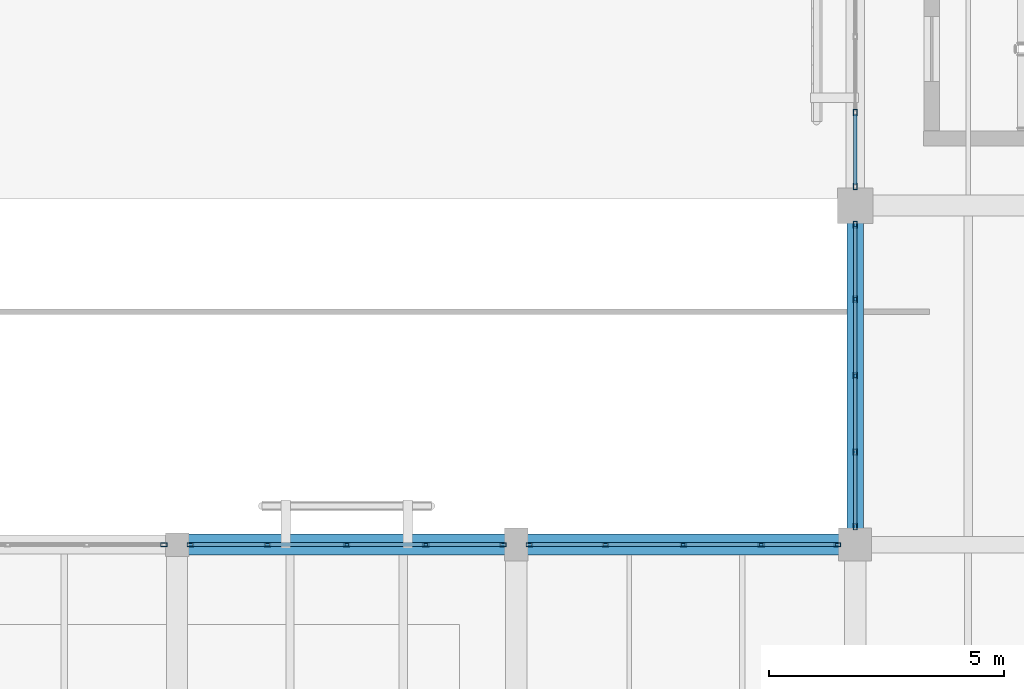
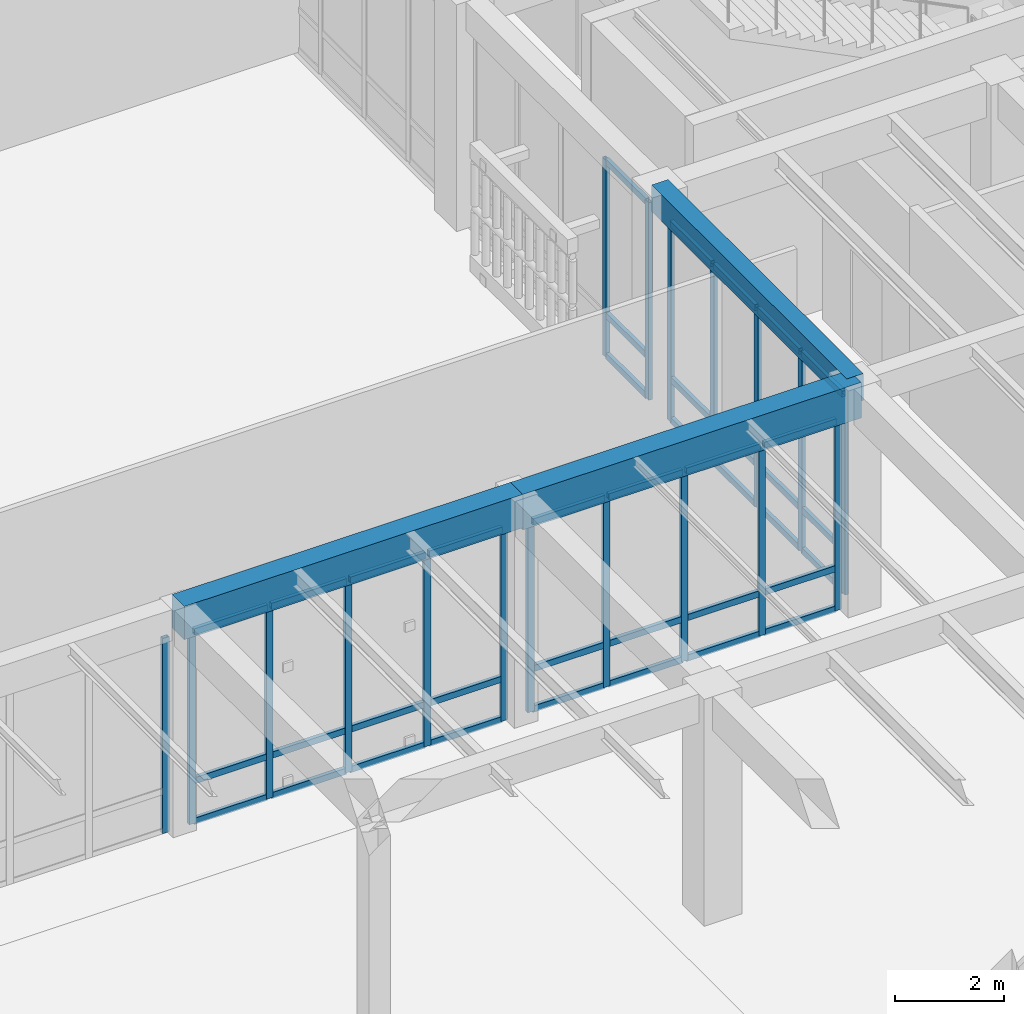
# One storey, part 96 of 169: 57 members, 3 beams, 5 elements without a shape of their own.
"""IFC4 building model written with IfcOpenShell, lengths in metres."""

from ifc_helpers import new_model, si_unit, direction, frame, origin, origin_2d, place, context, subcontext, project, spatial, rectangle, hollow_rectangle, extrude, material, layer, layer_set, material_profile, profile_set, type_object, element, aggregate, save


model = new_model("IFC4")

# Units and contexts
model_context = context("Model", 3, precision=1e-05, world=origin(), true_north=direction((0.0, 1.0)))
body_context = subcontext(model_context, "Body", "Model", "MODEL_VIEW")
ifc_project = project(units=[si_unit("LENGTHUNIT", "METRE"), si_unit("AREAUNIT", "SQUARE_METRE"), si_unit("VOLUMEUNIT", "CUBIC_METRE"), si_unit("PLANEANGLEUNIT", "RADIAN"), si_unit("MASSUNIT", "GRAM", prefix="KILO")], contexts=[model_context])

# Site, building, storey
site_placement = place(None, origin())
site = spatial("IfcSite", under=ifc_project, at=site_placement, CompositionType="ELEMENT")
building_placement = place(site_placement, origin())
building = spatial("IfcBuilding", under=site, at=building_placement, Name="Mazaris Harbour Polytechnic", CompositionType="ELEMENT")
storey_placement = place(building_placement, origin())
storey = spatial("IfcBuildingStorey", under=building, at=storey_placement, Name="L00", CompositionType="ELEMENT", Elevation=0.0)

# Curtain wall, member
ifc_material_1 = material(Name="Anodised Bronze Aluminium and Low-E Glass", Category="aluminium")
ifc_layer = layer(ifc_material_1, 0.169921875, Name="Anodised Bronze Aluminium and Low-E Glass")
ifc_layer_set = layer_set([ifc_layer], Name="Anodised Bronze Aluminium and Low-E Glass")
curtain_wall_type = type_object("IfcCurtainWallType", Name="Studio North-Light Curtain Wall", PredefinedType="NOTDEFINED", material=ifc_layer_set)
curtain_wall_1_placement = place(storey_placement, origin())
curtain_wall_1 = element("IfcCurtainWall", 1, at=curtain_wall_1_placement, inside=storey, type_object=curtain_wall_type, Name="V5 L00 Curtain Wall 191", PredefinedType="NOTDEFINED")
ifc_material_2 = material(Name="Anodised Bronze Steel S355", Category="steel")
ifc_material_profile_1 = material_profile(ifc_material_2, hollow_rectangle(XDim=0.080078125, YDim=0.139892578125, WallThickness=0.00634765625, at=origin_2d()), Name="RHS 80x140x6.3")
ifc_profile_set_1 = profile_set([ifc_material_profile_1], Name="Anodised Bronze Steel S355")
member_type_1 = type_object("IfcMemberType", Name="Curtain Mullion RHS80x140", PredefinedType="MULLION", material=ifc_profile_set_1)
member_1_placement = place(storey_placement, frame((143.718017578125, 61.199951171875, 0.0), z_axis=(0.0, 0.0, 1.0), x_axis=(0.0, 1.0, 0.0)))
member_1 = element("IfcMember", 2, at=member_1_placement, type_object=member_type_1, Name="CW-03 mullion 5", PredefinedType="MULLION", context=body_context, shape_type="SweptSolid", body=[
    extrude(hollow_rectangle(XDim=0.080078125, YDim=0.139892578125, WallThickness=0.00634765625, at=origin_2d()), origin(), (0.0, 0.0, 1.0), 4.389892578125),
])
aggregate(curtain_wall_1, [member_1])

# Curtain wall, members
curtain_wall_2_placement = place(storey_placement, origin())
curtain_wall_2 = element("IfcCurtainWall", 3, at=curtain_wall_2_placement, inside=storey, type_object=curtain_wall_type, Name="V5 L00 Curtain Wall 192", PredefinedType="NOTDEFINED")
member_2_placement = place(storey_placement, frame((144.281982421875, 61.199951171875, 0.0), z_axis=(0.0, 0.0, 1.0), x_axis=(0.0, 1.0, 0.0)))
member_2 = element("IfcMember", 4, at=member_2_placement, type_object=member_type_1, Name="CW-03 mullion 1", PredefinedType="MULLION", context=body_context, shape_type="SweptSolid", body=[
    extrude(hollow_rectangle(XDim=0.080078125, YDim=0.139892578125, WallThickness=0.00634765625, at=origin_2d()), origin(), (0.0, 0.0, 1.0), 4.340087890625),
])
member_3_placement = place(storey_placement, frame((145.9208984375, 61.199951171875, 0.0), z_axis=(0.0, 0.0, 1.0), x_axis=(0.0, 1.0, 0.0)))
member_3 = element("IfcMember", 5, at=member_3_placement, type_object=member_type_1, Name="CW-03 mullion 2", PredefinedType="MULLION", context=body_context, shape_type="SweptSolid", body=[
    extrude(hollow_rectangle(XDim=0.080078125, YDim=0.139892578125, WallThickness=0.00634765625, at=origin_2d()), origin(), (0.0, 0.0, 1.0), 4.340087890625),
])
member_4_placement = place(storey_placement, frame((147.60009765625, 61.199951171875, 0.0), z_axis=(0.0, 0.0, 1.0), x_axis=(0.0, 1.0, 0.0)))
member_4 = element("IfcMember", 6, at=member_4_placement, type_object=member_type_1, Name="CW-03 mullion 3", PredefinedType="MULLION", context=body_context, shape_type="SweptSolid", body=[
    extrude(hollow_rectangle(XDim=0.080078125, YDim=0.139892578125, WallThickness=0.00634765625, at=origin_2d()), origin(), (0.0, 0.0, 1.0), 4.340087890625),
])
member_5_placement = place(storey_placement, frame((149.279052734375, 61.199951171875, 0.0), z_axis=(0.0, 0.0, 1.0), x_axis=(0.0, 1.0, 0.0)))
member_5 = element("IfcMember", 7, at=member_5_placement, type_object=member_type_1, Name="CW-03 mullion 4", PredefinedType="MULLION", context=body_context, shape_type="SweptSolid", body=[
    extrude(hollow_rectangle(XDim=0.080078125, YDim=0.139892578125, WallThickness=0.00634765625, at=origin_2d()), origin(), (0.0, 0.0, 1.0), 4.340087890625),
])
member_6_placement = place(storey_placement, frame((150.91796875, 61.199951171875, 0.0), z_axis=(0.0, 0.0, 1.0), x_axis=(0.0, 1.0, 0.0)))
member_6 = element("IfcMember", 8, at=member_6_placement, type_object=member_type_1, Name="CW-03 mullion 5", PredefinedType="MULLION", context=body_context, shape_type="SweptSolid", body=[
    extrude(hollow_rectangle(XDim=0.080078125, YDim=0.139892578125, WallThickness=0.00634765625, at=origin_2d()), origin(), (0.0, 0.0, 1.0), 4.340087890625),
])

curtain_wall_3_placement = place(storey_placement, origin())
curtain_wall_3 = element("IfcCurtainWall", 9, at=curtain_wall_3_placement, inside=storey, type_object=curtain_wall_type, Name="V5 L00 Curtain Wall 193", PredefinedType="NOTDEFINED")
member_7_placement = place(storey_placement, frame((151.48193359375, 61.199951171875, 0.0), z_axis=(0.0, 0.0, 1.0), x_axis=(0.0, 1.0, 0.0)))
member_7 = element("IfcMember", 10, at=member_7_placement, type_object=member_type_1, Name="CW-03 mullion 1", PredefinedType="MULLION", context=body_context, shape_type="SweptSolid", body=[
    extrude(hollow_rectangle(XDim=0.080078125, YDim=0.139892578125, WallThickness=0.00634765625, at=origin_2d()), origin(), (0.0, 0.0, 1.0), 4.2900390625),
])
member_8_placement = place(storey_placement, frame((153.095947265625, 61.199951171875, 0.0), z_axis=(0.0, 0.0, 1.0), x_axis=(0.0, 1.0, 0.0)))
member_8 = element("IfcMember", 11, at=member_8_placement, type_object=member_type_1, Name="CW-03 mullion 2", PredefinedType="MULLION", context=body_context, shape_type="SweptSolid", body=[
    extrude(hollow_rectangle(XDim=0.080078125, YDim=0.139892578125, WallThickness=0.00634765625, at=origin_2d()), origin(), (0.0, 0.0, 1.0), 4.2900390625),
])
member_9_placement = place(storey_placement, frame((154.75, 61.199951171875, 0.0), z_axis=(0.0, 0.0, 1.0), x_axis=(0.0, 1.0, 0.0)))
member_9 = element("IfcMember", 12, at=member_9_placement, type_object=member_type_1, Name="CW-03 mullion 3", PredefinedType="MULLION", context=body_context, shape_type="SweptSolid", body=[
    extrude(hollow_rectangle(XDim=0.080078125, YDim=0.139892578125, WallThickness=0.00634765625, at=origin_2d()), origin(), (0.0, 0.0, 1.0), 4.2900390625),
])
member_10_placement = place(storey_placement, frame((156.404052734375, 61.199951171875, 0.0), z_axis=(0.0, 0.0, 1.0), x_axis=(0.0, 1.0, 0.0)))
member_10 = element("IfcMember", 13, at=member_10_placement, type_object=member_type_1, Name="CW-03 mullion 4", PredefinedType="MULLION", context=body_context, shape_type="SweptSolid", body=[
    extrude(hollow_rectangle(XDim=0.080078125, YDim=0.139892578125, WallThickness=0.00634765625, at=origin_2d()), origin(), (0.0, 0.0, 1.0), 4.2900390625),
])
member_11_placement = place(storey_placement, frame((158.01806640625, 61.199951171875, 0.0), z_axis=(0.0, 0.0, 1.0), x_axis=(0.0, 1.0, 0.0)))
member_11 = element("IfcMember", 14, at=member_11_placement, type_object=member_type_1, Name="CW-03 mullion 5", PredefinedType="MULLION", context=body_context, shape_type="SweptSolid", body=[
    extrude(hollow_rectangle(XDim=0.080078125, YDim=0.139892578125, WallThickness=0.00634765625, at=origin_2d()), origin(), (0.0, 0.0, 1.0), 4.2900390625),
])

curtain_wall_4_placement = place(storey_placement, origin())
curtain_wall_4 = element("IfcCurtainWall", 15, at=curtain_wall_4_placement, inside=storey, type_object=curtain_wall_type, Name="V5 L00 Curtain Wall 201", PredefinedType="NOTDEFINED")
member_12_placement = place(storey_placement, frame((158.39990234375, 67.992919921875, 0.0), z_axis=(0.0, 0.0, 1.0), x_axis=(1.0, 0.0, 0.0)))
member_12 = element("IfcMember", 16, at=member_12_placement, type_object=member_type_1, Name="CW-03 mullion 1", PredefinedType="MULLION", context=body_context, shape_type="SweptSolid", body=[
    extrude(hollow_rectangle(XDim=0.080078125, YDim=0.139892578125, WallThickness=0.00634765625, at=origin_2d()), origin(), (0.0, 0.0, 1.0), 4.489990234375),
])
member_13_placement = place(storey_placement, frame((158.39990234375, 66.41015625, 0.0), z_axis=(0.0, 0.0, 1.0), x_axis=(1.0, 0.0, 0.0)))
member_13 = element("IfcMember", 17, at=member_13_placement, type_object=member_type_1, Name="CW-03 mullion 2", PredefinedType="MULLION", context=body_context, shape_type="SweptSolid", body=[
    extrude(hollow_rectangle(XDim=0.080078125, YDim=0.139892578125, WallThickness=0.00634765625, at=origin_2d()), origin(), (0.0, 0.0, 1.0), 4.489990234375),
])
member_14_placement = place(storey_placement, frame((158.39990234375, 64.78759765625, 0.0), z_axis=(0.0, 0.0, 1.0), x_axis=(1.0, 0.0, 0.0)))
member_14 = element("IfcMember", 18, at=member_14_placement, type_object=member_type_1, Name="CW-03 mullion 3", PredefinedType="MULLION", context=body_context, shape_type="SweptSolid", body=[
    extrude(hollow_rectangle(XDim=0.080078125, YDim=0.139892578125, WallThickness=0.00634765625, at=origin_2d()), origin(), (0.0, 0.0, 1.0), 4.489990234375),
])
member_15_placement = place(storey_placement, frame((158.39990234375, 63.164794921875, 0.0), z_axis=(0.0, 0.0, 1.0), x_axis=(1.0, 0.0, 0.0)))
member_15 = element("IfcMember", 19, at=member_15_placement, type_object=member_type_1, Name="CW-03 mullion 4", PredefinedType="MULLION", context=body_context, shape_type="SweptSolid", body=[
    extrude(hollow_rectangle(XDim=0.080078125, YDim=0.139892578125, WallThickness=0.00634765625, at=origin_2d()), origin(), (0.0, 0.0, 1.0), 4.489990234375),
])
member_16_placement = place(storey_placement, frame((158.39990234375, 61.58203125, 0.0), z_axis=(0.0, 0.0, 1.0), x_axis=(1.0, 0.0, 0.0)))
member_16 = element("IfcMember", 20, at=member_16_placement, type_object=member_type_1, Name="CW-03 mullion 5", PredefinedType="MULLION", context=body_context, shape_type="SweptSolid", body=[
    extrude(hollow_rectangle(XDim=0.080078125, YDim=0.139892578125, WallThickness=0.00634765625, at=origin_2d()), origin(), (0.0, 0.0, 1.0), 4.489990234375),
])

curtain_wall_5_placement = place(storey_placement, origin())
curtain_wall_5 = element("IfcCurtainWall", 21, at=curtain_wall_5_placement, inside=storey, type_object=curtain_wall_type, Name="V5 L00 Curtain Wall 202", PredefinedType="NOTDEFINED")
member_17_placement = place(storey_placement, frame((158.39990234375, 70.377197265625, 0.0), z_axis=(0.0, 0.0, 1.0), x_axis=(1.0, 0.0, 0.0)))
member_17 = element("IfcMember", 22, at=member_17_placement, type_object=member_type_1, Name="CW-03 mullion 4", PredefinedType="MULLION", context=body_context, shape_type="SweptSolid", body=[
    extrude(hollow_rectangle(XDim=0.080078125, YDim=0.139892578125, WallThickness=0.00634765625, at=origin_2d()), origin(), (0.0, 0.0, 1.0), 4.43994140625),
])
member_18_placement = place(storey_placement, frame((158.39990234375, 68.806884765625, 0.0), z_axis=(0.0, 0.0, 1.0), x_axis=(1.0, 0.0, 0.0)))
member_18 = element("IfcMember", 23, at=member_18_placement, type_object=member_type_1, Name="CW-03 mullion 5", PredefinedType="MULLION", context=body_context, shape_type="SweptSolid", body=[
    extrude(hollow_rectangle(XDim=0.080078125, YDim=0.139892578125, WallThickness=0.00634765625, at=origin_2d()), origin(), (0.0, 0.0, 1.0), 4.43994140625),
])

# Member
ifc_material_3 = material(Name="Anodised Bronze Steel S355", Category="steel")
ifc_material_profile_2 = material_profile(ifc_material_3, hollow_rectangle(XDim=0.080078125, YDim=0.139892578125, WallThickness=0.00634765625, at=origin_2d()), Name="RHS 80x140x6.3")
ifc_profile_set_2 = profile_set([ifc_material_profile_2], Name="Anodised Bronze Steel S355")
member_type_2 = type_object("IfcMemberType", Name="Curtain Transom RHS80x140", PredefinedType="USERDEFINED", material=ifc_profile_set_2)
member_19_placement = place(storey_placement, frame((144.322021484375, 61.199951171875, 0.0400390625), z_axis=(1.0, 0.0, 0.0), x_axis=(0.0, 1.0, 0.0)))
member_19 = element("IfcMember", 24, at=member_19_placement, type_object=member_type_2, Name="CW-03 transom 1.1", ObjectType="TRANSOM", PredefinedType="USERDEFINED", context=body_context, shape_type="SweptSolid", body=[
    extrude(hollow_rectangle(XDim=0.080078125, YDim=0.139892578125, WallThickness=0.00634765625, at=origin_2d()), origin(), (0.0, 0.0, 1.0), 1.55908203125),
])

member_20_placement = place(storey_placement, frame((144.322021484375, 61.199951171875, 0.949951171875), z_axis=(1.0, 0.0, 0.0), x_axis=(0.0, 1.0, 0.0)))
member_20 = element("IfcMember", 25, at=member_20_placement, type_object=member_type_2, Name="CW-03 transom 1.2", ObjectType="TRANSOM", PredefinedType="USERDEFINED", context=body_context, shape_type="SweptSolid", body=[
    extrude(hollow_rectangle(XDim=0.080078125, YDim=0.139892578125, WallThickness=0.00634765625, at=origin_2d()), origin(), (0.0, 0.0, 1.0), 1.55908203125),
])

member_21_placement = place(storey_placement, frame((144.322021484375, 61.199951171875, 4.300048828125), z_axis=(1.0, 0.0, 0.0), x_axis=(0.0, 1.0, 0.0)))
member_21 = element("IfcMember", 26, at=member_21_placement, type_object=member_type_2, Name="CW-03 transom 1.3", ObjectType="TRANSOM", PredefinedType="USERDEFINED", context=body_context, shape_type="SweptSolid", body=[
    extrude(hollow_rectangle(XDim=0.080078125, YDim=0.139892578125, WallThickness=0.00634765625, at=origin_2d()), origin(), (0.0, 0.0, 1.0), 1.55908203125),
])

member_22_placement = place(storey_placement, frame((145.9609375, 61.199951171875, 0.0400390625), z_axis=(1.0, 0.0, 0.0), x_axis=(0.0, 1.0, 0.0)))
member_22 = element("IfcMember", 27, at=member_22_placement, type_object=member_type_2, Name="CW-03 transom 2.1", ObjectType="TRANSOM", PredefinedType="USERDEFINED", context=body_context, shape_type="SweptSolid", body=[
    extrude(hollow_rectangle(XDim=0.080078125, YDim=0.139892578125, WallThickness=0.00634765625, at=origin_2d()), origin(), (0.0, 0.0, 1.0), 1.59912109375),
])

member_23_placement = place(storey_placement, frame((145.9609375, 61.199951171875, 0.949951171875), z_axis=(1.0, 0.0, 0.0), x_axis=(0.0, 1.0, 0.0)))
member_23 = element("IfcMember", 28, at=member_23_placement, type_object=member_type_2, Name="CW-03 transom 2.2", ObjectType="TRANSOM", PredefinedType="USERDEFINED", context=body_context, shape_type="SweptSolid", body=[
    extrude(hollow_rectangle(XDim=0.080078125, YDim=0.139892578125, WallThickness=0.00634765625, at=origin_2d()), origin(), (0.0, 0.0, 1.0), 1.59912109375),
])

member_24_placement = place(storey_placement, frame((145.9609375, 61.199951171875, 4.300048828125), z_axis=(1.0, 0.0, 0.0), x_axis=(0.0, 1.0, 0.0)))
member_24 = element("IfcMember", 29, at=member_24_placement, type_object=member_type_2, Name="CW-03 transom 2.3", ObjectType="TRANSOM", PredefinedType="USERDEFINED", context=body_context, shape_type="SweptSolid", body=[
    extrude(hollow_rectangle(XDim=0.080078125, YDim=0.139892578125, WallThickness=0.00634765625, at=origin_2d()), origin(), (0.0, 0.0, 1.0), 1.59912109375),
])

member_25_placement = place(storey_placement, frame((147.639892578125, 61.199951171875, 0.0400390625), z_axis=(1.0, 0.0, 0.0), x_axis=(0.0, 1.0, 0.0)))
member_25 = element("IfcMember", 30, at=member_25_placement, type_object=member_type_2, Name="CW-03 transom 3.1", ObjectType="TRANSOM", PredefinedType="USERDEFINED", context=body_context, shape_type="SweptSolid", body=[
    extrude(hollow_rectangle(XDim=0.080078125, YDim=0.139892578125, WallThickness=0.00634765625, at=origin_2d()), origin(), (0.0, 0.0, 1.0), 1.59912109375),
])

member_26_placement = place(storey_placement, frame((147.639892578125, 61.199951171875, 0.949951171875), z_axis=(1.0, 0.0, 0.0), x_axis=(0.0, 1.0, 0.0)))
member_26 = element("IfcMember", 31, at=member_26_placement, type_object=member_type_2, Name="CW-03 transom 3.2", ObjectType="TRANSOM", PredefinedType="USERDEFINED", context=body_context, shape_type="SweptSolid", body=[
    extrude(hollow_rectangle(XDim=0.080078125, YDim=0.139892578125, WallThickness=0.00634765625, at=origin_2d()), origin(), (0.0, 0.0, 1.0), 1.59912109375),
])

member_27_placement = place(storey_placement, frame((147.639892578125, 61.199951171875, 4.300048828125), z_axis=(1.0, 0.0, 0.0), x_axis=(0.0, 1.0, 0.0)))
member_27 = element("IfcMember", 32, at=member_27_placement, type_object=member_type_2, Name="CW-03 transom 3.3", ObjectType="TRANSOM", PredefinedType="USERDEFINED", context=body_context, shape_type="SweptSolid", body=[
    extrude(hollow_rectangle(XDim=0.080078125, YDim=0.139892578125, WallThickness=0.00634765625, at=origin_2d()), origin(), (0.0, 0.0, 1.0), 1.59912109375),
])

member_28_placement = place(storey_placement, frame((149.319091796875, 61.199951171875, 0.0400390625), z_axis=(1.0, 0.0, 0.0), x_axis=(0.0, 1.0, 0.0)))
member_28 = element("IfcMember", 33, at=member_28_placement, type_object=member_type_2, Name="CW-03 transom 4.1", ObjectType="TRANSOM", PredefinedType="USERDEFINED", context=body_context, shape_type="SweptSolid", body=[
    extrude(hollow_rectangle(XDim=0.080078125, YDim=0.139892578125, WallThickness=0.00634765625, at=origin_2d()), origin(), (0.0, 0.0, 1.0), 1.558837890625),
])

member_29_placement = place(storey_placement, frame((149.319091796875, 61.199951171875, 0.949951171875), z_axis=(1.0, 0.0, 0.0), x_axis=(0.0, 1.0, 0.0)))
member_29 = element("IfcMember", 34, at=member_29_placement, type_object=member_type_2, Name="CW-03 transom 4.2", ObjectType="TRANSOM", PredefinedType="USERDEFINED", context=body_context, shape_type="SweptSolid", body=[
    extrude(hollow_rectangle(XDim=0.080078125, YDim=0.139892578125, WallThickness=0.00634765625, at=origin_2d()), origin(), (0.0, 0.0, 1.0), 1.558837890625),
])

member_30_placement = place(storey_placement, frame((149.319091796875, 61.199951171875, 4.300048828125), z_axis=(1.0, 0.0, 0.0), x_axis=(0.0, 1.0, 0.0)))
member_30 = element("IfcMember", 35, at=member_30_placement, type_object=member_type_2, Name="CW-03 transom 4.3", ObjectType="TRANSOM", PredefinedType="USERDEFINED", context=body_context, shape_type="SweptSolid", body=[
    extrude(hollow_rectangle(XDim=0.080078125, YDim=0.139892578125, WallThickness=0.00634765625, at=origin_2d()), origin(), (0.0, 0.0, 1.0), 1.558837890625),
])

aggregate(curtain_wall_2, [member_2, member_3, member_4, member_5, member_6, member_19, member_20, member_21, member_22, member_23, member_24, member_25, member_26, member_27, member_28, member_29, member_30])

member_31_placement = place(storey_placement, frame((151.52197265625, 61.199951171875, 0.0400390625), z_axis=(1.0, 0.0, 0.0), x_axis=(0.0, 1.0, 0.0)))
member_31 = element("IfcMember", 36, at=member_31_placement, type_object=member_type_2, Name="CW-03 transom 1.1", ObjectType="TRANSOM", PredefinedType="USERDEFINED", context=body_context, shape_type="SweptSolid", body=[
    extrude(hollow_rectangle(XDim=0.080078125, YDim=0.139892578125, WallThickness=0.00634765625, at=origin_2d()), origin(), (0.0, 0.0, 1.0), 1.533935546875),
])

member_32_placement = place(storey_placement, frame((151.52197265625, 61.199951171875, 0.949951171875), z_axis=(1.0, 0.0, 0.0), x_axis=(0.0, 1.0, 0.0)))
member_32 = element("IfcMember", 37, at=member_32_placement, type_object=member_type_2, Name="CW-03 transom 1.2", ObjectType="TRANSOM", PredefinedType="USERDEFINED", context=body_context, shape_type="SweptSolid", body=[
    extrude(hollow_rectangle(XDim=0.080078125, YDim=0.139892578125, WallThickness=0.00634765625, at=origin_2d()), origin(), (0.0, 0.0, 1.0), 1.533935546875),
])

member_33_placement = place(storey_placement, frame((151.52197265625, 61.199951171875, 4.25), z_axis=(1.0, 0.0, 0.0), x_axis=(0.0, 1.0, 0.0)))
member_33 = element("IfcMember", 38, at=member_33_placement, type_object=member_type_2, Name="CW-03 transom 1.3", ObjectType="TRANSOM", PredefinedType="USERDEFINED", context=body_context, shape_type="SweptSolid", body=[
    extrude(hollow_rectangle(XDim=0.080078125, YDim=0.139892578125, WallThickness=0.00634765625, at=origin_2d()), origin(), (0.0, 0.0, 1.0), 1.533935546875),
])

member_34_placement = place(storey_placement, frame((153.135986328125, 61.199951171875, 0.0400390625), z_axis=(1.0, 0.0, 0.0), x_axis=(0.0, 1.0, 0.0)))
member_34 = element("IfcMember", 39, at=member_34_placement, type_object=member_type_2, Name="CW-03 transom 2.1", ObjectType="TRANSOM", PredefinedType="USERDEFINED", context=body_context, shape_type="SweptSolid", body=[
    extrude(hollow_rectangle(XDim=0.080078125, YDim=0.139892578125, WallThickness=0.00634765625, at=origin_2d()), origin(), (0.0, 0.0, 1.0), 1.573974609375),
])

member_35_placement = place(storey_placement, frame((153.135986328125, 61.199951171875, 0.949951171875), z_axis=(1.0, 0.0, 0.0), x_axis=(0.0, 1.0, 0.0)))
member_35 = element("IfcMember", 40, at=member_35_placement, type_object=member_type_2, Name="CW-03 transom 2.2", ObjectType="TRANSOM", PredefinedType="USERDEFINED", context=body_context, shape_type="SweptSolid", body=[
    extrude(hollow_rectangle(XDim=0.080078125, YDim=0.139892578125, WallThickness=0.00634765625, at=origin_2d()), origin(), (0.0, 0.0, 1.0), 1.573974609375),
])

member_36_placement = place(storey_placement, frame((153.135986328125, 61.199951171875, 4.25), z_axis=(1.0, 0.0, 0.0), x_axis=(0.0, 1.0, 0.0)))
member_36 = element("IfcMember", 41, at=member_36_placement, type_object=member_type_2, Name="CW-03 transom 2.3", ObjectType="TRANSOM", PredefinedType="USERDEFINED", context=body_context, shape_type="SweptSolid", body=[
    extrude(hollow_rectangle(XDim=0.080078125, YDim=0.139892578125, WallThickness=0.00634765625, at=origin_2d()), origin(), (0.0, 0.0, 1.0), 1.573974609375),
])

member_37_placement = place(storey_placement, frame((154.7900390625, 61.199951171875, 0.0400390625), z_axis=(1.0, 0.0, 0.0), x_axis=(0.0, 1.0, 0.0)))
member_37 = element("IfcMember", 42, at=member_37_placement, type_object=member_type_2, Name="CW-03 transom 3.1", ObjectType="TRANSOM", PredefinedType="USERDEFINED", context=body_context, shape_type="SweptSolid", body=[
    extrude(hollow_rectangle(XDim=0.080078125, YDim=0.139892578125, WallThickness=0.00634765625, at=origin_2d()), origin(), (0.0, 0.0, 1.0), 1.573974609375),
])

member_38_placement = place(storey_placement, frame((154.7900390625, 61.199951171875, 0.949951171875), z_axis=(1.0, 0.0, 0.0), x_axis=(0.0, 1.0, 0.0)))
member_38 = element("IfcMember", 43, at=member_38_placement, type_object=member_type_2, Name="CW-03 transom 3.2", ObjectType="TRANSOM", PredefinedType="USERDEFINED", context=body_context, shape_type="SweptSolid", body=[
    extrude(hollow_rectangle(XDim=0.080078125, YDim=0.139892578125, WallThickness=0.00634765625, at=origin_2d()), origin(), (0.0, 0.0, 1.0), 1.573974609375),
])

member_39_placement = place(storey_placement, frame((154.7900390625, 61.199951171875, 4.25), z_axis=(1.0, 0.0, 0.0), x_axis=(0.0, 1.0, 0.0)))
member_39 = element("IfcMember", 44, at=member_39_placement, type_object=member_type_2, Name="CW-03 transom 3.3", ObjectType="TRANSOM", PredefinedType="USERDEFINED", context=body_context, shape_type="SweptSolid", body=[
    extrude(hollow_rectangle(XDim=0.080078125, YDim=0.139892578125, WallThickness=0.00634765625, at=origin_2d()), origin(), (0.0, 0.0, 1.0), 1.573974609375),
])

member_40_placement = place(storey_placement, frame((156.444091796875, 61.199951171875, 0.0400390625), z_axis=(1.0, 0.0, 0.0), x_axis=(0.0, 1.0, 0.0)))
member_40 = element("IfcMember", 45, at=member_40_placement, type_object=member_type_2, Name="CW-03 transom 4.1", ObjectType="TRANSOM", PredefinedType="USERDEFINED", context=body_context, shape_type="SweptSolid", body=[
    extrude(hollow_rectangle(XDim=0.080078125, YDim=0.139892578125, WallThickness=0.00634765625, at=origin_2d()), origin(), (0.0, 0.0, 1.0), 1.533935546875),
])

member_41_placement = place(storey_placement, frame((156.444091796875, 61.199951171875, 0.949951171875), z_axis=(1.0, 0.0, 0.0), x_axis=(0.0, 1.0, 0.0)))
member_41 = element("IfcMember", 46, at=member_41_placement, type_object=member_type_2, Name="CW-03 transom 4.2", ObjectType="TRANSOM", PredefinedType="USERDEFINED", context=body_context, shape_type="SweptSolid", body=[
    extrude(hollow_rectangle(XDim=0.080078125, YDim=0.139892578125, WallThickness=0.00634765625, at=origin_2d()), origin(), (0.0, 0.0, 1.0), 1.533935546875),
])

member_42_placement = place(storey_placement, frame((156.444091796875, 61.199951171875, 4.25), z_axis=(1.0, 0.0, 0.0), x_axis=(0.0, 1.0, 0.0)))
member_42 = element("IfcMember", 47, at=member_42_placement, type_object=member_type_2, Name="CW-03 transom 4.3", ObjectType="TRANSOM", PredefinedType="USERDEFINED", context=body_context, shape_type="SweptSolid", body=[
    extrude(hollow_rectangle(XDim=0.080078125, YDim=0.139892578125, WallThickness=0.00634765625, at=origin_2d()), origin(), (0.0, 0.0, 1.0), 1.533935546875),
])

aggregate(curtain_wall_3, [member_7, member_8, member_9, member_10, member_11, member_31, member_32, member_33, member_34, member_35, member_36, member_37, member_38, member_39, member_40, member_41, member_42])

member_43_placement = place(storey_placement, frame((158.39990234375, 67.952880859375, 0.0400390625), z_axis=(0.0, -1.0, 0.0), x_axis=(1.0, 0.0, 0.0)))
member_43 = element("IfcMember", 48, at=member_43_placement, type_object=member_type_2, Name="CW-03 transom 1.1", ObjectType="TRANSOM", PredefinedType="USERDEFINED", context=body_context, shape_type="SweptSolid", body=[
    extrude(hollow_rectangle(XDim=0.080078125, YDim=0.139892578125, WallThickness=0.00634765625, at=origin_2d()), origin(), (0.0, 0.0, 1.0), 1.502685546875),
])

member_44_placement = place(storey_placement, frame((158.39990234375, 67.952880859375, 0.949951171875), z_axis=(0.0, -1.0, 0.0), x_axis=(1.0, 0.0, 0.0)))
member_44 = element("IfcMember", 49, at=member_44_placement, type_object=member_type_2, Name="CW-03 transom 1.2", ObjectType="TRANSOM", PredefinedType="USERDEFINED", context=body_context, shape_type="SweptSolid", body=[
    extrude(hollow_rectangle(XDim=0.080078125, YDim=0.139892578125, WallThickness=0.00634765625, at=origin_2d()), origin(), (0.0, 0.0, 1.0), 1.502685546875),
])

member_45_placement = place(storey_placement, frame((158.39990234375, 67.952880859375, 4.449951171875), z_axis=(0.0, -1.0, 0.0), x_axis=(1.0, 0.0, 0.0)))
member_45 = element("IfcMember", 50, at=member_45_placement, type_object=member_type_2, Name="CW-03 transom 1.3", ObjectType="TRANSOM", PredefinedType="USERDEFINED", context=body_context, shape_type="SweptSolid", body=[
    extrude(hollow_rectangle(XDim=0.080078125, YDim=0.139892578125, WallThickness=0.00634765625, at=origin_2d()), origin(), (0.0, 0.0, 1.0), 1.502685546875),
])

member_46_placement = place(storey_placement, frame((158.39990234375, 66.370361328125, 0.0400390625), z_axis=(0.0, -1.0, 0.0), x_axis=(1.0, 0.0, 0.0)))
member_46 = element("IfcMember", 51, at=member_46_placement, type_object=member_type_2, Name="CW-03 transom 2.1", ObjectType="TRANSOM", PredefinedType="USERDEFINED", context=body_context, shape_type="SweptSolid", body=[
    extrude(hollow_rectangle(XDim=0.080078125, YDim=0.139892578125, WallThickness=0.00634765625, at=origin_2d()), origin(), (0.0, 0.0, 1.0), 1.54296875),
])

member_47_placement = place(storey_placement, frame((158.39990234375, 66.370361328125, 0.949951171875), z_axis=(0.0, -1.0, 0.0), x_axis=(1.0, 0.0, 0.0)))
member_47 = element("IfcMember", 52, at=member_47_placement, type_object=member_type_2, Name="CW-03 transom 2.2", ObjectType="TRANSOM", PredefinedType="USERDEFINED", context=body_context, shape_type="SweptSolid", body=[
    extrude(hollow_rectangle(XDim=0.080078125, YDim=0.139892578125, WallThickness=0.00634765625, at=origin_2d()), origin(), (0.0, 0.0, 1.0), 1.54296875),
])

member_48_placement = place(storey_placement, frame((158.39990234375, 66.370361328125, 4.449951171875), z_axis=(0.0, -1.0, 0.0), x_axis=(1.0, 0.0, 0.0)))
member_48 = element("IfcMember", 53, at=member_48_placement, type_object=member_type_2, Name="CW-03 transom 2.3", ObjectType="TRANSOM", PredefinedType="USERDEFINED", context=body_context, shape_type="SweptSolid", body=[
    extrude(hollow_rectangle(XDim=0.080078125, YDim=0.139892578125, WallThickness=0.00634765625, at=origin_2d()), origin(), (0.0, 0.0, 1.0), 1.54296875),
])

member_49_placement = place(storey_placement, frame((158.39990234375, 64.74755859375, 0.0400390625), z_axis=(0.0, -1.0, 0.0), x_axis=(1.0, 0.0, 0.0)))
member_49 = element("IfcMember", 54, at=member_49_placement, type_object=member_type_2, Name="CW-03 transom 3.1", ObjectType="TRANSOM", PredefinedType="USERDEFINED", context=body_context, shape_type="SweptSolid", body=[
    extrude(hollow_rectangle(XDim=0.080078125, YDim=0.139892578125, WallThickness=0.00634765625, at=origin_2d()), origin(), (0.0, 0.0, 1.0), 1.542724609375),
])

member_50_placement = place(storey_placement, frame((158.39990234375, 64.74755859375, 0.949951171875), z_axis=(0.0, -1.0, 0.0), x_axis=(1.0, 0.0, 0.0)))
member_50 = element("IfcMember", 55, at=member_50_placement, type_object=member_type_2, Name="CW-03 transom 3.2", ObjectType="TRANSOM", PredefinedType="USERDEFINED", context=body_context, shape_type="SweptSolid", body=[
    extrude(hollow_rectangle(XDim=0.080078125, YDim=0.139892578125, WallThickness=0.00634765625, at=origin_2d()), origin(), (0.0, 0.0, 1.0), 1.542724609375),
])

member_51_placement = place(storey_placement, frame((158.39990234375, 64.74755859375, 4.449951171875), z_axis=(0.0, -1.0, 0.0), x_axis=(1.0, 0.0, 0.0)))
member_51 = element("IfcMember", 56, at=member_51_placement, type_object=member_type_2, Name="CW-03 transom 3.3", ObjectType="TRANSOM", PredefinedType="USERDEFINED", context=body_context, shape_type="SweptSolid", body=[
    extrude(hollow_rectangle(XDim=0.080078125, YDim=0.139892578125, WallThickness=0.00634765625, at=origin_2d()), origin(), (0.0, 0.0, 1.0), 1.542724609375),
])

member_52_placement = place(storey_placement, frame((158.39990234375, 63.124755859375, 0.0400390625), z_axis=(0.0, -1.0, 0.0), x_axis=(1.0, 0.0, 0.0)))
member_52 = element("IfcMember", 57, at=member_52_placement, type_object=member_type_2, Name="CW-03 transom 4.1", ObjectType="TRANSOM", PredefinedType="USERDEFINED", context=body_context, shape_type="SweptSolid", body=[
    extrude(hollow_rectangle(XDim=0.080078125, YDim=0.139892578125, WallThickness=0.00634765625, at=origin_2d()), origin(), (0.0, 0.0, 1.0), 1.502685546875),
])

member_53_placement = place(storey_placement, frame((158.39990234375, 63.124755859375, 0.949951171875), z_axis=(0.0, -1.0, 0.0), x_axis=(1.0, 0.0, 0.0)))
member_53 = element("IfcMember", 58, at=member_53_placement, type_object=member_type_2, Name="CW-03 transom 4.2", ObjectType="TRANSOM", PredefinedType="USERDEFINED", context=body_context, shape_type="SweptSolid", body=[
    extrude(hollow_rectangle(XDim=0.080078125, YDim=0.139892578125, WallThickness=0.00634765625, at=origin_2d()), origin(), (0.0, 0.0, 1.0), 1.502685546875),
])

member_54_placement = place(storey_placement, frame((158.39990234375, 63.124755859375, 4.449951171875), z_axis=(0.0, -1.0, 0.0), x_axis=(1.0, 0.0, 0.0)))
member_54 = element("IfcMember", 59, at=member_54_placement, type_object=member_type_2, Name="CW-03 transom 4.3", ObjectType="TRANSOM", PredefinedType="USERDEFINED", context=body_context, shape_type="SweptSolid", body=[
    extrude(hollow_rectangle(XDim=0.080078125, YDim=0.139892578125, WallThickness=0.00634765625, at=origin_2d()), origin(), (0.0, 0.0, 1.0), 1.502685546875),
])

aggregate(curtain_wall_4, [member_12, member_13, member_14, member_15, member_16, member_43, member_44, member_45, member_46, member_47, member_48, member_49, member_50, member_51, member_52, member_53, member_54])

member_55_placement = place(storey_placement, frame((158.39990234375, 70.337158203125, 0.0400390625), z_axis=(0.0, -1.0, 0.0), x_axis=(1.0, 0.0, 0.0)))
member_55 = element("IfcMember", 60, at=member_55_placement, type_object=member_type_2, Name="CW-03 transom 4.1", ObjectType="TRANSOM", PredefinedType="USERDEFINED", context=body_context, shape_type="SweptSolid", body=[
    extrude(hollow_rectangle(XDim=0.080078125, YDim=0.139892578125, WallThickness=0.00634765625, at=origin_2d()), origin(), (0.0, 0.0, 1.0), 1.490234375),
])

member_56_placement = place(storey_placement, frame((158.39990234375, 70.337158203125, 0.949951171875), z_axis=(0.0, -1.0, 0.0), x_axis=(1.0, 0.0, 0.0)))
member_56 = element("IfcMember", 61, at=member_56_placement, type_object=member_type_2, Name="CW-03 transom 4.2", ObjectType="TRANSOM", PredefinedType="USERDEFINED", context=body_context, shape_type="SweptSolid", body=[
    extrude(hollow_rectangle(XDim=0.080078125, YDim=0.139892578125, WallThickness=0.00634765625, at=origin_2d()), origin(), (0.0, 0.0, 1.0), 1.490234375),
])

member_57_placement = place(storey_placement, frame((158.39990234375, 70.337158203125, 4.39990234375), z_axis=(0.0, -1.0, 0.0), x_axis=(1.0, 0.0, 0.0)))
member_57 = element("IfcMember", 62, at=member_57_placement, type_object=member_type_2, Name="CW-03 transom 4.3", ObjectType="TRANSOM", PredefinedType="USERDEFINED", context=body_context, shape_type="SweptSolid", body=[
    extrude(hollow_rectangle(XDim=0.080078125, YDim=0.139892578125, WallThickness=0.00634765625, at=origin_2d()), origin(), (0.0, 0.0, 1.0), 1.490234375),
])

aggregate(curtain_wall_5, [member_17, member_18, member_55, member_56, member_57])

# Beams
ifc_material_4 = material(Name="Concrete C35/45", Category="concrete")
ifc_material_profile_3 = material_profile(ifc_material_4, rectangle(XDim=0.35009765625, YDim=0.60009765625, at=origin_2d()), Name="RECT350x600")
ifc_profile_set_3 = profile_set([ifc_material_profile_3], Name="Concrete C35/45")
beam_type_1 = type_object("IfcBeamType", Name="RC Girder 350x600", PredefinedType="BEAM", material=ifc_profile_set_3)
beam_1_placement = place(storey_placement, frame((158.39990234375, 61.199951171875, 4.800048828125), z_axis=(0.0, 1.0, 0.0), x_axis=(-1.0, 0.0, 0.0)))
element("IfcBeam", 63, at=beam_1_placement, inside=storey, type_object=beam_type_1, Name="V5 L00 Tie Girder 2795", PredefinedType="BEAM", context=body_context, shape_type="SweptSolid", body=[
    extrude(rectangle(XDim=0.35009765625, YDim=0.60009765625, at=origin_2d()), origin(), (0.0, 0.0, 1.0), 7.199951171875),
])
ifc_material_5 = material(Name="Concrete C40/50", Category="concrete")
ifc_material_profile_4 = material_profile(ifc_material_5, rectangle(XDim=0.449951171875, YDim=0.75, at=origin_2d()), Name="RECT450x750")
ifc_profile_set_4 = profile_set([ifc_material_profile_4], Name="Concrete C40/50")
beam_type_2 = type_object("IfcBeamType", Name="RC Girder 450x750", PredefinedType="BEAM", material=ifc_profile_set_4)
beam_2_placement = place(storey_placement, frame((144.0, 61.199951171875, 4.72509765625), z_axis=(1.0, 0.0, 0.0), x_axis=(0.0, 1.0, 0.0)))
element("IfcBeam", 64, at=beam_2_placement, inside=storey, type_object=beam_type_2, Name="V5 L00 Girder 2713", PredefinedType="BEAM", context=body_context, shape_type="SweptSolid", body=[
    extrude(rectangle(XDim=0.449951171875, YDim=0.75, at=origin_2d()), origin(), (0.0, 0.0, 1.0), 7.199951171875),
])
ifc_material_6 = material(Name="Concrete C40/50", Category="concrete")
ifc_material_profile_5 = material_profile(ifc_material_6, rectangle(XDim=0.449951171875, YDim=0.800048828125, at=origin_2d()), Name="RECT450x800")
ifc_profile_set_5 = profile_set([ifc_material_profile_5], Name="Concrete C40/50")
beam_type_3 = type_object("IfcBeamType", Name="RC Girder 450x800", PredefinedType="BEAM", material=ifc_profile_set_5)
beam_3_placement = place(storey_placement, frame((151.199951171875, 61.199951171875, 4.699951171875), z_axis=(1.0, 0.0, 0.0), x_axis=(0.0, 1.0, 0.0)))
element("IfcBeam", 65, at=beam_3_placement, inside=storey, type_object=beam_type_3, Name="V5 L00 Girder 2714", PredefinedType="BEAM", context=body_context, shape_type="SweptSolid", body=[
    extrude(rectangle(XDim=0.449951171875, YDim=0.800048828125, at=origin_2d()), origin(), (0.0, 0.0, 1.0), 7.199951171875),
])

save(model, "model.ifc")
